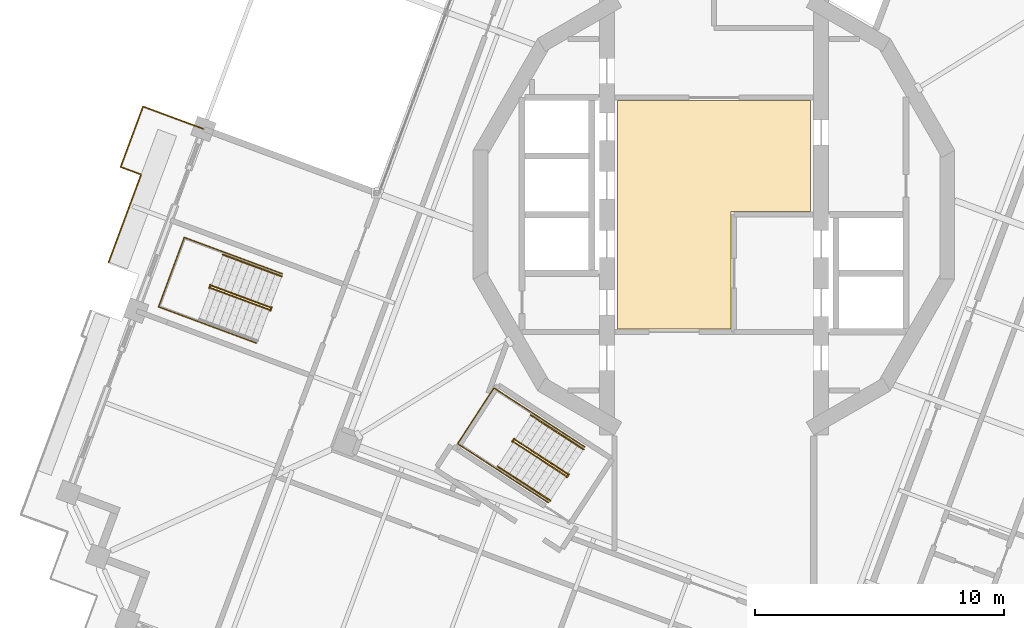
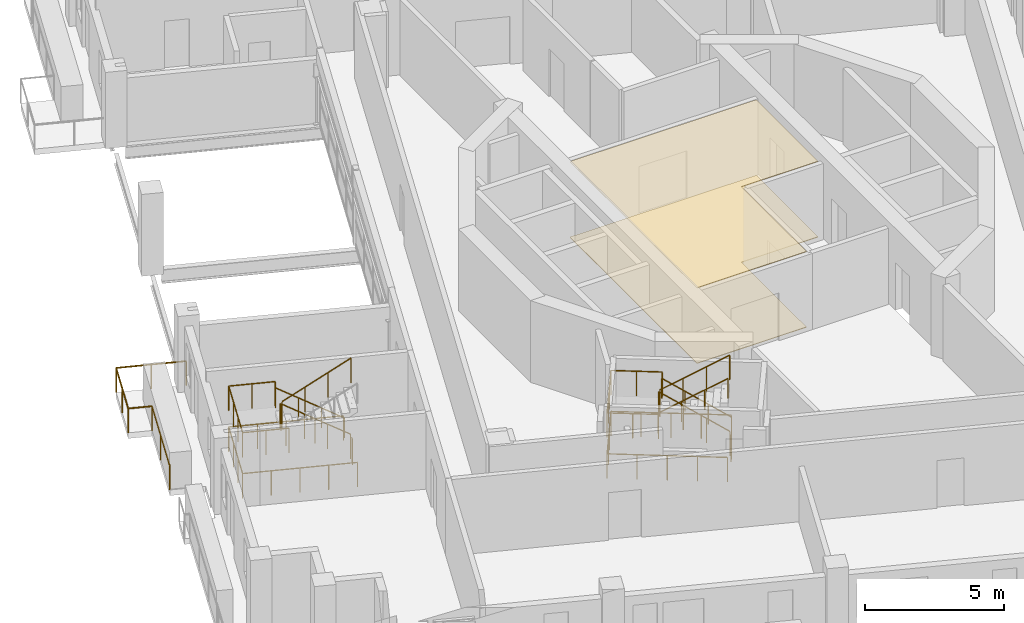
# One storey, part 16 of 20: 14 railings, 2 coverings.
"""IFC4 building model written with IfcOpenShell, lengths in metres."""

from ifc_helpers import new_model, si_unit, direction, frame, origin, origin_2d, place, context, subcontext, project, spatial, polyline, circle, outline, extrude, material, layer, layer_set, type_object, element, save


model = new_model("IFC4")

# Units and contexts
model_context = context("Model", 3, precision=1e-05, world=origin(), true_north=direction((0.0, 1.0)))
body_context = subcontext(model_context, "Body", "Model", "MODEL_VIEW")
ifc_project = project(units=[si_unit("LENGTHUNIT", "METRE"), si_unit("AREAUNIT", "SQUARE_METRE"), si_unit("VOLUMEUNIT", "CUBIC_METRE"), si_unit("PLANEANGLEUNIT", "RADIAN"), si_unit("MASSUNIT", "GRAM", prefix="KILO")], contexts=[model_context])

# Site, building, storey
site_placement = place(None, origin())
site = spatial("IfcSite", under=ifc_project, at=site_placement, CompositionType="ELEMENT")
building_placement = place(site_placement, origin())
building = spatial("IfcBuilding", under=site, at=building_placement, Name="Cantera Rosa Tower", CompositionType="ELEMENT")
storey_placement = place(building_placement, frame((0.0, 0.0, 309.699951171875)))
storey = spatial("IfcBuildingStorey", under=building, at=storey_placement, Name="L68", CompositionType="ELEMENT", Elevation=309.699951171875)

# Railings
ifc_material_1 = material(Name="Stainless steel and laminated glass", Category="steel")
railing_type_1 = type_object("IfcRailingType", Name="GUARD 1100", PredefinedType="BALUSTRADE", material=ifc_material_1)
railing_1_placement = place(storey_placement, frame((-24.29150390625, -1.918701171875, 0.0)))
element("IfcRailing", 1, at=railing_1_placement, inside=storey, type_object=railing_type_1, Name="GUARD L68-3", PredefinedType="BALUSTRADE", context=body_context, shape_type="SweptSolid", body=[
    extrude(circle(Radius=0.030029296875, at=origin_2d()), frame((0.0, 0.0, 1.070068359375), z_axis=(0.347529903095, 0.937668900228, 0.0), x_axis=(-0.937668900228, 0.347529903095, 0.0)), (0.0, 0.0, 1.0), 3.7626953125),
    extrude(circle(Radius=0.030029296875, at=origin_2d()), frame((1.3076171875, 3.528076171875, 1.070068359375), z_axis=(-0.937752120302, 0.347305284828, 0.0), x_axis=(-0.347305284828, -0.937752120302, 0.0)), (0.0, 0.0, 1.0), 0.876708984375),
    extrude(circle(Radius=0.030029296875, at=origin_2d()), frame((0.485595703125, 3.83251953125, 1.070068359375), z_axis=(0.347501802755, 0.937679314629, 0.0), x_axis=(-0.937679314629, 0.347501802755, 0.0)), (0.0, 0.0, 1.0), 2.587646484375),
    extrude(circle(Radius=0.030029296875, at=origin_2d()), frame((1.384765625, 6.2587890625, 1.070068359375), z_axis=(0.93769369014, -0.347463010219, 0.0), x_axis=(0.347463010219, 0.93769369014, 0.0)), (0.0, 0.0, 1.0), 2.5673828125),
    extrude(circle(Radius=0.02490234375, at=origin_2d()), origin(), (0.0, 0.0, 1.0), 1.0400390625),
    extrude(circle(Radius=0.02490234375, at=origin_2d()), frame((0.65380859375, 1.76416015625, 0.0)), (0.0, 0.0, 1.0), 1.0400390625),
    extrude(circle(Radius=0.02490234375, at=origin_2d()), frame((1.3076171875, 3.528076171875, 0.0)), (0.0, 0.0, 1.0), 1.0400390625),
    extrude(circle(Radius=0.02490234375, at=origin_2d()), frame((0.485595703125, 3.83251953125, 0.0)), (0.0, 0.0, 1.0), 1.0400390625),
    extrude(circle(Radius=0.02490234375, at=origin_2d()), frame((0.93505859375, 5.045654296875, 0.0)), (0.0, 0.0, 1.0), 1.0400390625),
    extrude(circle(Radius=0.02490234375, at=origin_2d()), frame((1.384765625, 6.2587890625, 0.0)), (0.0, 0.0, 1.0), 1.0400390625),
    extrude(circle(Radius=0.02490234375, at=origin_2d()), frame((2.58837890625, 5.812744140625, 0.0)), (0.0, 0.0, 1.0), 1.0400390625),
    extrude(circle(Radius=0.02490234375, at=origin_2d()), frame((3.792236328125, 5.36669921875, 0.0)), (0.0, 0.0, 1.0), 1.0400390625),
])
ifc_material_2 = material(Name="Steel S355J2 (EN 10025-2)", Category="steel")
railing_type_2 = type_object("IfcRailingType", Name="STAIR GUARD 1100", PredefinedType="GUARDRAIL", material=ifc_material_2)
railing_2_placement = place(storey_placement, frame((-17.802490234375, -3.721923828125, 0.179931640625)))
element("IfcRailing", 2, at=railing_2_placement, inside=storey, type_object=railing_type_2, Name="L68 ST-63 stair guard 1", PredefinedType="GUARDRAIL", context=body_context, shape_type="SweptSolid", body=[
    extrude(circle(Radius=0.02392578125, at=origin_2d()), frame((0.0, 0.0, 1.076171875), z_axis=(-0.788747577403, 0.292306804437, 0.540771662738), x_axis=(-0.347500508527, -0.937679794265, 0.0)), (0.0, 0.0, 1.0), 2.995849609375),
    extrude(circle(Radius=0.02392578125, at=origin_2d()), frame((-2.363037109375, 0.875732421875, 2.6962890625), z_axis=(-0.671593765389, 0.740919573429, 0.0), x_axis=(-0.740919573429, -0.671593765389, 0.0)), (0.0, 0.0, 1.0), 0.056396484375),
    extrude(circle(Radius=0.02392578125, at=origin_2d()), frame((-2.40087890625, 0.91748046875, 2.6962890625), z_axis=(-0.348268249601, -0.937394914814, 0.0), x_axis=(0.937394914814, -0.348268249601, 0.0)), (0.0, 0.0, 1.0), 0.14990234375),
    extrude(circle(Radius=0.02099609375, at=origin_2d()), origin(), (0.0, 0.0, 1.0), 1.052001953125),
    extrude(circle(Radius=0.02099609375, at=origin_2d()), frame((-0.78759765625, 0.2919921875, 0.5400390625)), (0.0, 0.0, 1.0), 1.052001953125),
    extrude(circle(Radius=0.02099609375, at=origin_2d()), frame((-1.575439453125, 0.583740234375, 1.080078125)), (0.0, 0.0, 1.0), 1.052001953125),
    extrude(circle(Radius=0.02099609375, at=origin_2d()), frame((-2.363037109375, 0.875732421875, 1.6201171875)), (0.0, 0.0, 1.0), 1.052001953125),
    extrude(circle(Radius=0.02099609375, at=origin_2d()), frame((-2.40087890625, 0.91748046875, 1.6201171875)), (0.0, 0.0, 1.0), 1.052001953125),
    extrude(circle(Radius=0.02099609375, at=origin_2d()), frame((-2.453125, 0.77685546875, 1.6201171875)), (0.0, 0.0, 1.0), 1.052001953125),
])
railing_3_placement = place(storey_placement, frame((-20.19970703125, -2.93798828125, 1.97998046875)))
element("IfcRailing", 3, at=railing_3_placement, inside=storey, type_object=railing_type_2, Name="L68 ST-63 stair guard 2", PredefinedType="GUARDRAIL", context=body_context, shape_type="SweptSolid", body=[
    extrude(circle(Radius=0.02392578125, at=origin_2d()), frame((0.0, 0.0, 1.076171875), z_axis=(0.788747577403, -0.292306804437, 0.540771662738), x_axis=(0.347500508527, 0.937679794265, 0.0)), (0.0, 0.0, 1.0), 2.995849609375),
    extrude(circle(Radius=0.02099609375, at=origin_2d()), origin(), (0.0, 0.0, 1.0), 1.052001953125),
    extrude(circle(Radius=0.02099609375, at=origin_2d()), frame((0.78759765625, -0.2919921875, 0.5400390625)), (0.0, 0.0, 1.0), 1.052001953125),
    extrude(circle(Radius=0.02099609375, at=origin_2d()), frame((1.575439453125, -0.583740234375, 1.080078125)), (0.0, 0.0, 1.0), 1.052001953125),
    extrude(circle(Radius=0.02099609375, at=origin_2d()), frame((2.363037109375, -0.875732421875, 1.6201171875)), (0.0, 0.0, 1.0), 1.052001953125),
])
railing_4_placement = place(storey_placement, frame((-17.74658203125, -3.71484375, 0.0)))
element("IfcRailing", 4, at=railing_4_placement, inside=storey, type_object=railing_type_2, Name="L68 ST-63 stair guard 3", PredefinedType="GUARDRAIL", context=body_context, shape_type="SweptSolid", body=[
    extrude(circle(Radius=0.02392578125, at=origin_2d()), frame((0.0, 0.0, 1.076171875), z_axis=(-0.348268249601, -0.937394914814, 0.0), x_axis=(0.937394914814, -0.348268249601, 0.0)), (0.0, 0.0, 1.0), 0.14990234375),
    extrude(circle(Radius=0.02099609375, at=origin_2d()), origin(), (0.0, 0.0, 1.0), 1.052001953125),
    extrude(circle(Radius=0.02099609375, at=origin_2d()), frame((-0.05224609375, -0.140625, 0.0)), (0.0, 0.0, 1.0), 1.052001953125),
])
railing_5_placement = place(storey_placement, frame((-17.31494140625, -2.37109375, 0.0)))
element("IfcRailing", 5, at=railing_5_placement, inside=storey, type_object=railing_type_2, Name="L68 ST-63 stair guard 4", PredefinedType="GUARDRAIL", context=body_context, shape_type="SweptSolid", body=[
    extrude(circle(Radius=0.02392578125, at=origin_2d()), frame((0.0, 0.0, 1.076171875), z_axis=(-0.937682096729, 0.3474942956, 0.0), x_axis=(-0.3474942956, -0.937682096729, 0.0)), (0.0, 0.0, 1.0), 4.197998046875),
    extrude(circle(Radius=0.02392578125, at=origin_2d()), frame((-3.936279296875, 1.458740234375, 1.076171875), z_axis=(-0.347472311651, -0.937690243436, 0.0), x_axis=(0.937690243436, -0.347472311651, 0.0)), (0.0, 0.0, 1.0), 2.969970703125),
    extrude(circle(Radius=0.02392578125, at=origin_2d()), frame((-4.96826171875, -1.326171875, 1.076171875), z_axis=(0.937682096729, -0.3474942956, 0.0), x_axis=(0.3474942956, 0.937682096729, 0.0)), (0.0, 0.0, 1.0), 4.197998046875),
    extrude(circle(Radius=0.02099609375, at=origin_2d()), origin(), (0.0, 0.0, 1.0), 1.052001953125),
    extrude(circle(Radius=0.02099609375, at=origin_2d()), frame((-0.984130859375, 0.36474609375, 0.0)), (0.0, 0.0, 1.0), 1.052001953125),
    extrude(circle(Radius=0.02099609375, at=origin_2d()), frame((-1.96826171875, 0.7294921875, 0.0)), (0.0, 0.0, 1.0), 1.052001953125),
    extrude(circle(Radius=0.02099609375, at=origin_2d()), frame((-2.9521484375, 1.093994140625, 0.0)), (0.0, 0.0, 1.0), 1.052001953125),
    extrude(circle(Radius=0.02099609375, at=origin_2d()), frame((-3.936279296875, 1.458740234375, 0.0)), (0.0, 0.0, 1.0), 1.052001953125),
    extrude(circle(Radius=0.02099609375, at=origin_2d()), frame((-4.2802734375, 0.530517578125, 0.0)), (0.0, 0.0, 1.0), 1.052001953125),
    extrude(circle(Radius=0.02099609375, at=origin_2d()), frame((-4.624267578125, -0.39794921875, 0.0)), (0.0, 0.0, 1.0), 1.052001953125),
    extrude(circle(Radius=0.02099609375, at=origin_2d()), frame((-4.96826171875, -1.326171875, 0.0)), (0.0, 0.0, 1.0), 1.052001953125),
    extrude(circle(Radius=0.02099609375, at=origin_2d()), frame((-3.984130859375, -1.69091796875, 0.0)), (0.0, 0.0, 1.0), 1.052001953125),
    extrude(circle(Radius=0.02099609375, at=origin_2d()), frame((-3.0, -2.0556640625, 0.0)), (0.0, 0.0, 1.0), 1.052001953125),
    extrude(circle(Radius=0.02099609375, at=origin_2d()), frame((-2.01611328125, -2.420166015625, 0.0)), (0.0, 0.0, 1.0), 1.052001953125),
    extrude(circle(Radius=0.02099609375, at=origin_2d()), frame((-1.031982421875, -2.784912109375, 0.0)), (0.0, 0.0, 1.0), 1.052001953125),
])
railing_6_placement = place(storey_placement, frame((-19.6552734375, -1.50390625, 1.800048828125)))
element("IfcRailing", 6, at=railing_6_placement, inside=storey, type_object=railing_type_2, Name="L68 ST-63 stair guard 5", PredefinedType="GUARDRAIL", context=body_context, shape_type="SweptSolid", body=[
    extrude(circle(Radius=0.02392578125, at=origin_2d()), frame((0.0, 0.0, 1.076171875), z_axis=(-0.937660486946, 0.347552602091, 0.0), x_axis=(-0.347552602091, -0.937660486946, 0.0)), (0.0, 0.0, 1.0), 1.7021484375),
    extrude(circle(Radius=0.02392578125, at=origin_2d()), frame((-1.595947265625, 0.591552734375, 1.076171875), z_axis=(-0.347472311651, -0.937690243436, 0.0), x_axis=(0.937690243436, -0.347472311651, 0.0)), (0.0, 0.0, 1.0), 2.969970703125),
    extrude(circle(Radius=0.02392578125, at=origin_2d()), frame((-2.6279296875, -2.193359375, 1.076171875), z_axis=(0.937660486946, -0.347552602091, 0.0), x_axis=(0.347552602091, 0.937660486946, 0.0)), (0.0, 0.0, 1.0), 1.7021484375),
    extrude(circle(Radius=0.02099609375, at=origin_2d()), origin(), (0.0, 0.0, 1.0), 1.052001953125),
    extrude(circle(Radius=0.02099609375, at=origin_2d()), frame((-0.7978515625, 0.2958984375, 0.0)), (0.0, 0.0, 1.0), 1.052001953125),
    extrude(circle(Radius=0.02099609375, at=origin_2d()), frame((-1.595947265625, 0.591552734375, 0.0)), (0.0, 0.0, 1.0), 1.052001953125),
    extrude(circle(Radius=0.02099609375, at=origin_2d()), frame((-1.93994140625, -0.336669921875, 0.0)), (0.0, 0.0, 1.0), 1.052001953125),
    extrude(circle(Radius=0.02099609375, at=origin_2d()), frame((-2.283935546875, -1.26513671875, 0.0)), (0.0, 0.0, 1.0), 1.052001953125),
    extrude(circle(Radius=0.02099609375, at=origin_2d()), frame((-2.6279296875, -2.193359375, 0.0)), (0.0, 0.0, 1.0), 1.052001953125),
    extrude(circle(Radius=0.02099609375, at=origin_2d()), frame((-1.830078125, -2.4892578125, 0.0)), (0.0, 0.0, 1.0), 1.052001953125),
    extrude(circle(Radius=0.02099609375, at=origin_2d()), frame((-1.031982421875, -2.784912109375, 0.0)), (0.0, 0.0, 1.0), 1.052001953125),
])
railing_7_placement = place(storey_placement, frame((-5.873291015625, -10.403076171875, 0.179931640625)))
element("IfcRailing", 7, at=railing_7_placement, inside=storey, type_object=railing_type_2, Name="L68 ST-64 stair guard 1", PredefinedType="GUARDRAIL", context=body_context, shape_type="SweptSolid", body=[
    extrude(circle(Radius=0.02392578125, at=origin_2d()), frame((0.0, 0.0, 1.076171875), z_axis=(-0.705462015847, 0.458138784, 0.540770005448), x_axis=(-0.544644381691, -0.838667095749, 0.0)), (0.0, 0.0, 1.0), 2.995849609375),
    extrude(circle(Radius=0.02392578125, at=origin_2d()), frame((-2.113525390625, 1.37255859375, 2.6962890625), z_axis=(-0.49520304401, 0.868777270193, 0.0), x_axis=(-0.868777270193, -0.49520304401, 0.0)), (0.0, 0.0, 1.0), 0.05615234375),
    extrude(circle(Radius=0.02392578125, at=origin_2d()), frame((-2.141357421875, 1.42138671875, 2.6962890625), z_axis=(-0.544129121324, -0.839001489467, 0.0), x_axis=(0.839001489467, -0.544129121324, 0.0)), (0.0, 0.0, 1.0), 0.14990234375),
    extrude(circle(Radius=0.02099609375, at=origin_2d()), origin(), (0.0, 0.0, 1.0), 1.052001953125),
    extrude(circle(Radius=0.02099609375, at=origin_2d()), frame((-0.70458984375, 0.45751953125, 0.5400390625)), (0.0, 0.0, 1.0), 1.052001953125),
    extrude(circle(Radius=0.02099609375, at=origin_2d()), frame((-1.408935546875, 0.9150390625, 1.080078125)), (0.0, 0.0, 1.0), 1.052001953125),
    extrude(circle(Radius=0.02099609375, at=origin_2d()), frame((-2.113525390625, 1.37255859375, 1.6201171875)), (0.0, 0.0, 1.0), 1.052001953125),
    extrude(circle(Radius=0.02099609375, at=origin_2d()), frame((-2.141357421875, 1.42138671875, 1.6201171875)), (0.0, 0.0, 1.0), 1.052001953125),
    extrude(circle(Radius=0.02099609375, at=origin_2d()), frame((-2.222900390625, 1.295654296875, 1.6201171875)), (0.0, 0.0, 1.0), 1.052001953125),
])
railing_8_placement = place(storey_placement, frame((-8.040283203125, -9.11279296875, 1.97998046875)))
element("IfcRailing", 8, at=railing_8_placement, inside=storey, type_object=railing_type_2, Name="L68 ST-64 stair guard 2", PredefinedType="GUARDRAIL", context=body_context, shape_type="SweptSolid", body=[
    extrude(circle(Radius=0.02392578125, at=origin_2d()), frame((0.0, 0.0, 1.076171875), z_axis=(0.705462015847, -0.458138784, 0.540770005448), x_axis=(0.544644381691, 0.838667095749, 0.0)), (0.0, 0.0, 1.0), 2.995849609375),
    extrude(circle(Radius=0.02099609375, at=origin_2d()), origin(), (0.0, 0.0, 1.0), 1.052001953125),
    extrude(circle(Radius=0.02099609375, at=origin_2d()), frame((0.70458984375, -0.45751953125, 0.5400390625)), (0.0, 0.0, 1.0), 1.052001953125),
    extrude(circle(Radius=0.02099609375, at=origin_2d()), frame((1.408935546875, -0.9150390625, 1.080078125)), (0.0, 0.0, 1.0), 1.052001953125),
    extrude(circle(Radius=0.02099609375, at=origin_2d()), frame((2.113525390625, -1.37255859375, 1.6201171875)), (0.0, 0.0, 1.0), 1.052001953125),
])
railing_9_placement = place(storey_placement, frame((-5.8173828125, -10.408447265625, 0.0)))
element("IfcRailing", 9, at=railing_9_placement, inside=storey, type_object=railing_type_2, Name="L68 ST-64 stair guard 3", PredefinedType="GUARDRAIL", context=body_context, shape_type="SweptSolid", body=[
    extrude(circle(Radius=0.02392578125, at=origin_2d()), frame((0.0, 0.0, 1.076171875), z_axis=(-0.543386185195, -0.839482848984, 0.0), x_axis=(0.839482848984, -0.543386185195, 0.0)), (0.0, 0.0, 1.0), 0.150146484375),
    extrude(circle(Radius=0.02099609375, at=origin_2d()), origin(), (0.0, 0.0, 1.0), 1.052001953125),
    extrude(circle(Radius=0.02099609375, at=origin_2d()), frame((-0.08154296875, -0.1259765625, 0.0)), (0.0, 0.0, 1.0), 1.052001953125),
])
railing_10_placement = place(storey_placement, frame((-5.18310546875, -9.318115234375, 0.0)))
element("IfcRailing", 10, at=railing_10_placement, inside=storey, type_object=railing_type_2, Name="L68 ST-64 stair guard 4", PredefinedType="GUARDRAIL", context=body_context, shape_type="SweptSolid", body=[
    extrude(circle(Radius=0.02392578125, at=origin_2d()), frame((0.0, 0.0, 1.076171875), z_axis=(-0.838659072691, 0.544656735746, 0.0), x_axis=(-0.544656735746, -0.838659072691, 0.0)), (0.0, 0.0, 1.0), 4.347900390625),
    extrude(circle(Radius=0.02392578125, at=origin_2d()), frame((-3.646484375, 2.3681640625, 1.076171875), z_axis=(-0.544615466587, -0.838685872991, 0.0), x_axis=(0.838685872991, -0.544615466587, 0.0)), (0.0, 0.0, 1.0), 2.669921875),
    extrude(circle(Radius=0.02392578125, at=origin_2d()), frame((-5.1005859375, 0.12890625, 1.076171875), z_axis=(0.838659072691, -0.544656735746, 0.0), x_axis=(0.544656735746, 0.838659072691, 0.0)), (0.0, 0.0, 1.0), 4.347900390625),
    extrude(circle(Radius=0.02099609375, at=origin_2d()), origin(), (0.0, 0.0, 1.0), 1.052001953125),
    extrude(circle(Radius=0.02099609375, at=origin_2d()), frame((-0.91162109375, 0.592041015625, 0.0)), (0.0, 0.0, 1.0), 1.052001953125),
    extrude(circle(Radius=0.02099609375, at=origin_2d()), frame((-1.8232421875, 1.18408203125, 0.0)), (0.0, 0.0, 1.0), 1.052001953125),
    extrude(circle(Radius=0.02099609375, at=origin_2d()), frame((-2.73486328125, 1.776123046875, 0.0)), (0.0, 0.0, 1.0), 1.052001953125),
    extrude(circle(Radius=0.02099609375, at=origin_2d()), frame((-3.646484375, 2.3681640625, 0.0)), (0.0, 0.0, 1.0), 1.052001953125),
    extrude(circle(Radius=0.02099609375, at=origin_2d()), frame((-4.131103515625, 1.621826171875, 0.0)), (0.0, 0.0, 1.0), 1.052001953125),
    extrude(circle(Radius=0.02099609375, at=origin_2d()), frame((-4.615966796875, 0.875244140625, 0.0)), (0.0, 0.0, 1.0), 1.052001953125),
    extrude(circle(Radius=0.02099609375, at=origin_2d()), frame((-5.1005859375, 0.12890625, 0.0)), (0.0, 0.0, 1.0), 1.052001953125),
    extrude(circle(Radius=0.02099609375, at=origin_2d()), frame((-4.18896484375, -0.463134765625, 0.0)), (0.0, 0.0, 1.0), 1.052001953125),
    extrude(circle(Radius=0.02099609375, at=origin_2d()), frame((-3.27734375, -1.05517578125, 0.0)), (0.0, 0.0, 1.0), 1.052001953125),
    extrude(circle(Radius=0.02099609375, at=origin_2d()), frame((-2.36572265625, -1.647216796875, 0.0)), (0.0, 0.0, 1.0), 1.052001953125),
    extrude(circle(Radius=0.02099609375, at=origin_2d()), frame((-1.4541015625, -2.2392578125, 0.0)), (0.0, 0.0, 1.0), 1.052001953125),
])
railing_11_placement = place(storey_placement, frame((-7.2763671875, -7.95849609375, 1.800048828125)))
element("IfcRailing", 11, at=railing_11_placement, inside=storey, type_object=railing_type_2, Name="L68 ST-64 stair guard 5", PredefinedType="GUARDRAIL", context=body_context, shape_type="SweptSolid", body=[
    extrude(circle(Radius=0.02392578125, at=origin_2d()), frame((0.0, 0.0, 1.076171875), z_axis=(-0.838702547883, 0.544589787064, 0.0), x_axis=(-0.544589787064, -0.838702547883, 0.0)), (0.0, 0.0, 1.0), 1.85205078125),
    extrude(circle(Radius=0.02392578125, at=origin_2d()), frame((-1.55322265625, 1.008544921875, 1.076171875), z_axis=(-0.544615466587, -0.838685872991, 0.0), x_axis=(0.838685872991, -0.544615466587, 0.0)), (0.0, 0.0, 1.0), 2.669921875),
    extrude(circle(Radius=0.02392578125, at=origin_2d()), frame((-3.00732421875, -1.230712890625, 1.076171875), z_axis=(0.838702547883, -0.544589787064, 0.0), x_axis=(0.544589787064, 0.838702547883, 0.0)), (0.0, 0.0, 1.0), 1.85205078125),
    extrude(circle(Radius=0.02099609375, at=origin_2d()), origin(), (0.0, 0.0, 1.0), 1.052001953125),
    extrude(circle(Radius=0.02099609375, at=origin_2d()), frame((-0.776611328125, 0.50439453125, 0.0)), (0.0, 0.0, 1.0), 1.052001953125),
    extrude(circle(Radius=0.02099609375, at=origin_2d()), frame((-1.55322265625, 1.008544921875, 0.0)), (0.0, 0.0, 1.0), 1.052001953125),
    extrude(circle(Radius=0.02099609375, at=origin_2d()), frame((-2.037841796875, 0.26220703125, 0.0)), (0.0, 0.0, 1.0), 1.052001953125),
    extrude(circle(Radius=0.02099609375, at=origin_2d()), frame((-2.522705078125, -0.484375, 0.0)), (0.0, 0.0, 1.0), 1.052001953125),
    extrude(circle(Radius=0.02099609375, at=origin_2d()), frame((-3.00732421875, -1.230712890625, 0.0)), (0.0, 0.0, 1.0), 1.052001953125),
    extrude(circle(Radius=0.02099609375, at=origin_2d()), frame((-2.230712890625, -1.73486328125, 0.0)), (0.0, 0.0, 1.0), 1.052001953125),
    extrude(circle(Radius=0.02099609375, at=origin_2d()), frame((-1.4541015625, -2.2392578125, 0.0)), (0.0, 0.0, 1.0), 1.052001953125),
])
ifc_material_3 = material(Name="Steel S355J2 (EN 10025-2)", Category="steel")
railing_type_3 = type_object("IfcRailingType", Name="STAIR HANDRAIL 900", PredefinedType="HANDRAIL", material=ifc_material_3)
railing_12_placement = place(storey_placement, frame((-17.341796875, -2.478515625, 0.179931640625)))
element("IfcRailing", 12, at=railing_12_placement, inside=storey, type_object=railing_type_3, Name="L68 ST-63 stair handrail 1", PredefinedType="HANDRAIL", context=body_context, shape_type="SweptSolid", body=[
    extrude(circle(Radius=0.02392578125, at=origin_2d()), frame((0.0, 0.0, 0.8759765625), z_axis=(-0.788747577403, 0.292306804437, 0.540771662738), x_axis=(-0.347500508527, -0.937679794265, 0.0)), (0.0, 0.0, 1.0), 2.995849609375),
    extrude(circle(Radius=0.02099609375, at=origin_2d()), origin(), (0.0, 0.0, 1.0), 0.851806640625),
    extrude(circle(Radius=0.02099609375, at=origin_2d()), frame((-0.78759765625, 0.2919921875, 0.5400390625)), (0.0, 0.0, 1.0), 0.851806640625),
    extrude(circle(Radius=0.02099609375, at=origin_2d()), frame((-1.575439453125, 0.583740234375, 1.080078125)), (0.0, 0.0, 1.0), 0.851806640625),
    extrude(circle(Radius=0.02099609375, at=origin_2d()), frame((-2.363037109375, 0.875732421875, 1.6201171875)), (0.0, 0.0, 1.0), 0.851806640625),
])
railing_13_placement = place(storey_placement, frame((-5.23291015625, -9.416748046875, 0.179931640625)))
element("IfcRailing", 13, at=railing_13_placement, inside=storey, type_object=railing_type_3, Name="L68 ST-64 stair handrail 1", PredefinedType="HANDRAIL", context=body_context, shape_type="SweptSolid", body=[
    extrude(circle(Radius=0.02392578125, at=origin_2d()), frame((0.0, 0.0, 0.8759765625), z_axis=(-0.705488352623, 0.458074394142, 0.540790193832), x_axis=(-0.544576236413, -0.838711346492, 0.0)), (0.0, 0.0, 1.0), 2.995849609375),
    extrude(circle(Radius=0.02099609375, at=origin_2d()), origin(), (0.0, 0.0, 1.0), 0.851806640625),
    extrude(circle(Radius=0.02099609375, at=origin_2d()), frame((-0.70458984375, 0.45751953125, 0.5400390625)), (0.0, 0.0, 1.0), 0.851806640625),
    extrude(circle(Radius=0.02099609375, at=origin_2d()), frame((-1.408935546875, 0.914794921875, 1.080078125)), (0.0, 0.0, 1.0), 0.851806640625),
    extrude(circle(Radius=0.02099609375, at=origin_2d()), frame((-2.113525390625, 1.372314453125, 1.6201171875)), (0.0, 0.0, 1.0), 0.851806640625),
])
railing_14_placement = place(storey_placement, frame((-8.6806640625, -10.09912109375, 1.97998046875)))
element("IfcRailing", 14, at=railing_14_placement, inside=storey, type_object=railing_type_3, Name="L68 ST-64 stair handrail 2", PredefinedType="HANDRAIL", context=body_context, shape_type="SweptSolid", body=[
    extrude(circle(Radius=0.02392578125, at=origin_2d()), frame((0.0, 0.0, 0.8759765625), z_axis=(0.705462015847, -0.458138784, 0.540770005448), x_axis=(0.544644381691, 0.838667095749, 0.0)), (0.0, 0.0, 1.0), 2.995849609375),
    extrude(circle(Radius=0.02099609375, at=origin_2d()), origin(), (0.0, 0.0, 1.0), 0.851806640625),
    extrude(circle(Radius=0.02099609375, at=origin_2d()), frame((0.70458984375, -0.45751953125, 0.5400390625)), (0.0, 0.0, 1.0), 0.851806640625),
    extrude(circle(Radius=0.02099609375, at=origin_2d()), frame((1.408935546875, -0.9150390625, 1.080078125)), (0.0, 0.0, 1.0), 0.851806640625),
    extrude(circle(Radius=0.02099609375, at=origin_2d()), frame((2.113525390625, -1.37255859375, 1.6201171875)), (0.0, 0.0, 1.0), 0.851806640625),
])

# Coverings
ifc_material_4 = material(Name="Limestone paving", Category="masonry")
ifc_layer_1 = layer(ifc_material_4, 0.02490234375)
ifc_layer_set_1 = layer_set([ifc_layer_1], Name="STONE FLOOR FINISH 25")
covering_type_1 = type_object("IfcCoveringType", Name="STONE FLOOR FINISH 25", PredefinedType="FLOORING", material=ifc_layer_set_1)
covering_1_placement = place(storey_placement, origin())
element("IfcCovering", 15, at=covering_1_placement, inside=storey, type_object=covering_type_1, Name="STONE FLOOR FINISH L68", PredefinedType="FLOORING", context=body_context, shape_type="SweptSolid", body=[
    extrude(outline(polyline([(3.8798828125, 4.580078125), (3.8798828125, 0.1201171875), (0.679931640625, 0.1201171875), (0.679931640625, -4.580078125), (-3.8798828125, -4.580078125), (-3.8798828125, 4.580078125), (3.8798828125, 4.580078125)])), origin(), (0.0, 0.0, 1.0), 0.025146484375),
])
ifc_material_5 = material(Name="Gypsum ceiling tile")
ifc_layer_2 = layer(ifc_material_5, 0.030029296875)
ifc_layer_set_2 = layer_set([ifc_layer_2], Name="SUSPENDED CEILING 30")
covering_type_2 = type_object("IfcCoveringType", Name="SUSPENDED CEILING 30", PredefinedType="CEILING", material=ifc_layer_set_2)
covering_2_placement = place(storey_placement, frame((0.0, 0.0, 3.320068359375)))
element("IfcCovering", 16, at=covering_2_placement, inside=storey, type_object=covering_type_2, Name="SUSPENDED CEILING L68", PredefinedType="CEILING", context=body_context, shape_type="SweptSolid", body=[
    extrude(outline(polyline([(3.8798828125, 4.580078125), (3.8798828125, 0.1201171875), (0.679931640625, 0.1201171875), (0.679931640625, -4.580078125), (-3.8798828125, -4.580078125), (-3.8798828125, 4.580078125), (3.8798828125, 4.580078125)])), origin(), (0.0, 0.0, 1.0), 0.030029296875),
])

save(model, "model.ifc")
